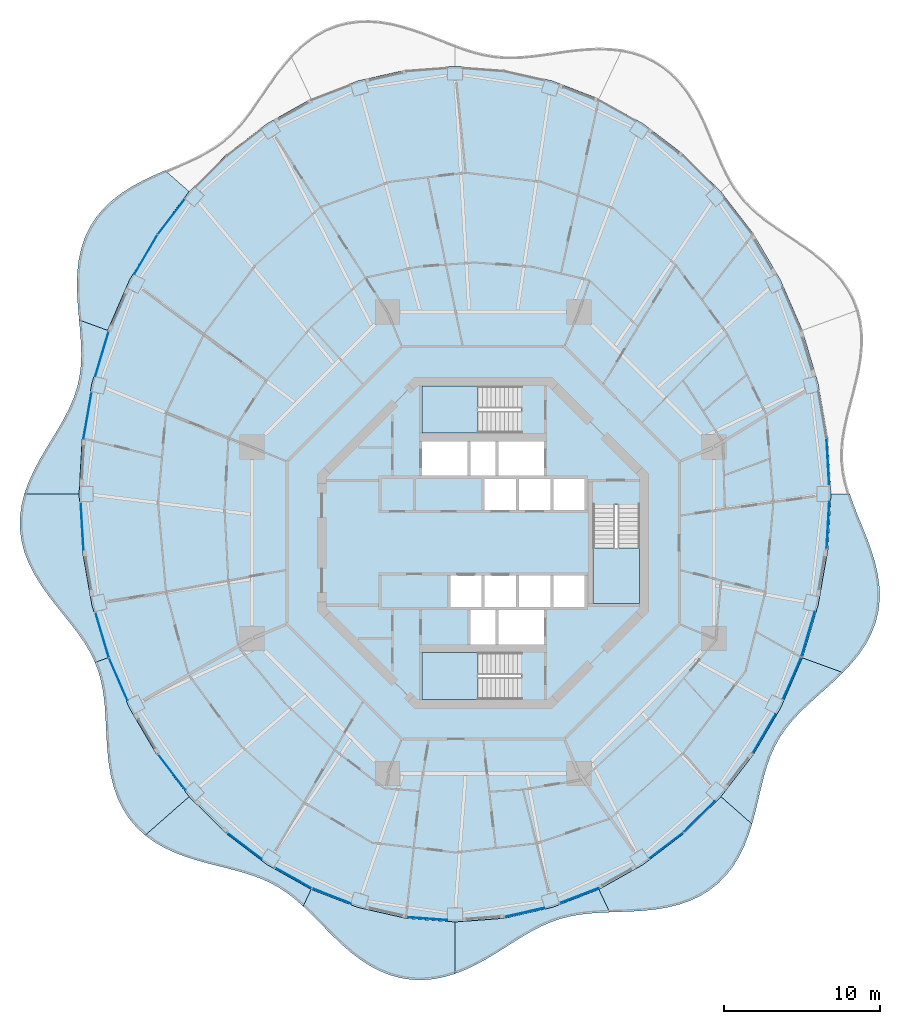
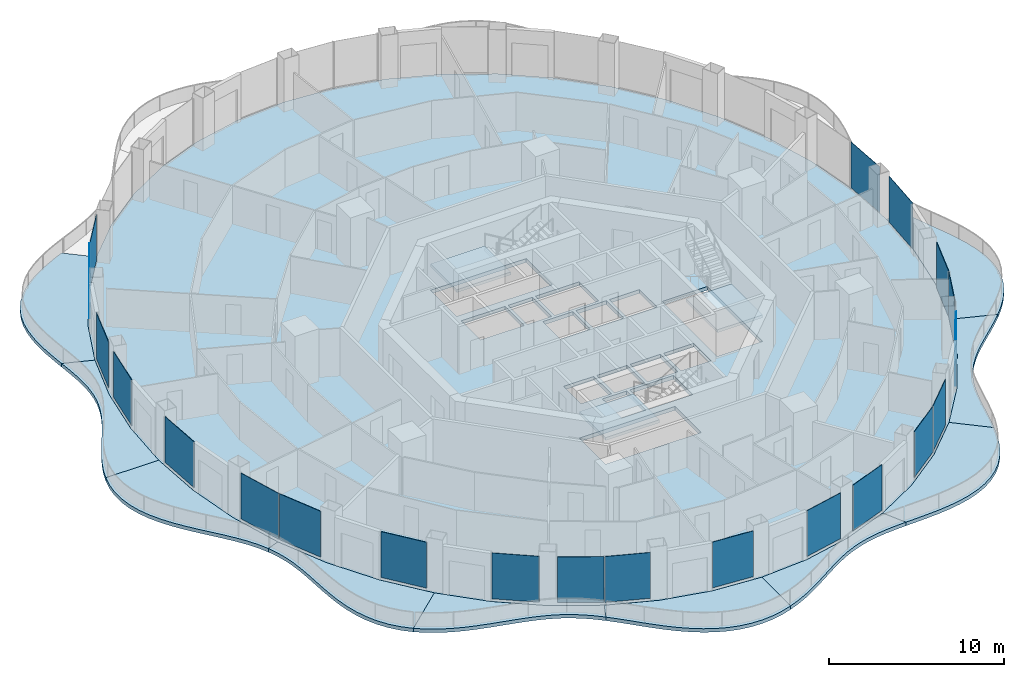
# One storey, part 8 of 18: 21 plates, 14 slabs, 24 elements without a shape of their own.
"""IFC4 building model written with IfcOpenShell, lengths in metres."""

from ifc_helpers import new_model, si_unit, direction, frame, origin, origin_2d, place, context, subcontext, project, spatial, polyline, rectangle, outline, extrude, material, layer, layer_set, type_object, element, aggregate, save


model = new_model("IFC4")

# Units and contexts
model_context = context("Model", 3, precision=1e-05, world=origin(), true_north=direction((0.0, 1.0)))
body_context = subcontext(model_context, "Body", "Model", "MODEL_VIEW")
ifc_project = project(units=[si_unit("LENGTHUNIT", "METRE"), si_unit("AREAUNIT", "SQUARE_METRE"), si_unit("VOLUMEUNIT", "CUBIC_METRE"), si_unit("PLANEANGLEUNIT", "RADIAN"), si_unit("MASSUNIT", "GRAM", prefix="KILO")], contexts=[model_context])

# Site, building, storey
site_placement = place(None, origin())
site = spatial("IfcSite", under=ifc_project, at=site_placement, CompositionType="ELEMENT")
building_placement = place(site_placement, origin())
building = spatial("IfcBuilding", under=site, at=building_placement, Name="Nagisa Residences", CompositionType="ELEMENT")
storey_placement = place(building_placement, frame((0.0, 0.0, 249.199951171875)))
storey = spatial("IfcBuildingStorey", under=building, at=storey_placement, Name="L63", CompositionType="ELEMENT", Elevation=249.199951171875)

# Slabs
ifc_material_1 = material(Name="Concrete C40/50", Category="concrete")
ifc_layer_1 = layer(ifc_material_1, 0.25)
ifc_layer_set_1 = layer_set([ifc_layer_1], Name="BALCONY SLAB 250")
slab_type_1 = type_object("IfcSlabType", Name="BALCONY SLAB 250", PredefinedType="FLOOR", material=ifc_layer_set_1)
slab_1_placement = place(storey_placement, frame((0.0, 0.0, -0.25)))
element("IfcSlab", 1, at=slab_1_placement, inside=storey, type_object=slab_type_1, Name="slab:L63:bal06", PredefinedType="FLOOR", context=body_context, shape_type="SweptSolid", body=[
    extrude(outline(polyline([(-20.358642578125, 23.83740234375), (-21.072021484375, 23.5234375), (-21.781005859375, 23.184814453125), (-22.47119140625, 22.8115234375), (-23.12744140625, 22.3955078125), (-23.736328125, 21.93115234375), (-24.285400390625, 21.414794921875), (-24.763916015625, 20.846435546875), (-25.165283203125, 20.227783203125), (-25.485107421875, 19.56298828125), (-25.723388671875, 18.8583984375), (-25.88330078125, 18.12158203125), (-25.97216796875, 17.361572265625), (-26.000244140625, 16.5869140625), (-25.98046875, 15.80712890625), (-25.928466796875, 15.030029296875), (-25.860107421875, 14.2626953125), (-24.037841796875, 13.599365234375), (-22.645263671875, 16.812744140625), (-20.89599609375, 19.791748046875), (-18.820068359375, 22.4853515625), (-20.358642578125, 23.83740234375)])), origin(), (0.0, 0.0, 1.0), 0.25),
])
slab_2_placement = place(storey_placement, frame((0.0, 0.0, -0.25)))
element("IfcSlab", 2, at=slab_2_placement, inside=storey, type_object=slab_type_1, Name="slab:L63:bal07", PredefinedType="FLOOR", context=body_context, shape_type="SweptSolid", body=[
    extrude(outline(polyline([(-25.860107421875, 14.2626953125), (-25.79052734375, 13.4873046875), (-25.739013671875, 12.73291015625), (-25.721923828125, 12.001220703125), (-25.752685546875, 11.29248046875), (-25.8408203125, 10.604736328125), (-25.992431640625, 9.934326171875), (-26.208740234375, 9.276611328125), (-26.486572265625, 8.625732421875), (-26.818115234375, 7.97607421875), (-27.192138671875, 7.322021484375), (-27.593505859375, 6.658447265625), (-28.004638671875, 5.981689453125), (-28.40673828125, 5.289306640625), (-28.780517578125, 4.580322265625), (-29.106689453125, 3.855712890625), (-29.369140625, 3.11767578125), (-25.8701171875, 3.11767578125), (-25.6640625, 6.69287109375), (-25.0498046875, 10.206787109375), (-24.037841796875, 13.599365234375), (-25.860107421875, 14.2626953125)])), origin(), (0.0, 0.0, 1.0), 0.25),
])
slab_3_placement = place(storey_placement, frame((0.0, 0.0, -0.25)))
element("IfcSlab", 3, at=slab_3_placement, inside=storey, type_object=slab_type_1, Name="slab:L63:bal08", PredefinedType="FLOOR", context=body_context, shape_type="SweptSolid", body=[
    extrude(outline(polyline([(-29.369140625, 3.11767578125), (-29.552978515625, 2.3701171875), (-29.64794921875, 1.617919921875), (-29.6474609375, 0.8662109375), (-29.549560546875, 0.12060546875), (-29.357177734375, -0.61328125), (-29.0771484375, -1.3310546875), (-28.720703125, -2.029541015625), (-28.302734375, -2.70654296875), (-27.840087890625, -3.36181640625), (-27.351318359375, -3.9970703125), (-26.85595703125, -4.615478515625), (-26.3720703125, -5.2216796875), (-25.916748046875, -5.822265625), (-25.50390625, -6.423583984375), (-25.14404296875, -7.032958984375), (-24.843994140625, -7.657470703125), (-24.037841796875, -7.364013671875), (-25.0498046875, -3.971435546875), (-25.6640625, -0.45751953125), (-25.8701171875, 3.11767578125), (-29.369140625, 3.11767578125)])), origin(), (0.0, 0.0, 1.0), 0.25),
])
slab_4_placement = place(storey_placement, frame((0.0, 0.0, -0.25)))
element("IfcSlab", 4, at=slab_4_placement, inside=storey, type_object=slab_type_1, Name="slab:L63:bal09", PredefinedType="FLOOR", context=body_context, shape_type="SweptSolid", body=[
    extrude(outline(polyline([(-24.843994140625, -7.657470703125), (-24.6123046875, -8.282470703125), (-24.437255859375, -8.931640625), (-24.312744140625, -9.607421875), (-24.229736328125, -10.310791015625), (-24.176513671875, -11.040283203125), (-24.138916015625, -11.792236328125), (-24.1015625, -12.561279296875), (-24.048095703125, -13.339599609375), (-23.9638671875, -14.1181640625), (-23.833984375, -14.886474609375), (-23.646484375, -15.63427734375), (-23.392333984375, -16.350341796875), (-23.064697265625, -17.02490234375), (-22.661376953125, -17.649169921875), (-22.1826171875, -18.216064453125), (-21.6328125, -18.721923828125), (-18.820068359375, -16.25), (-20.89599609375, -13.556396484375), (-22.645263671875, -10.577392578125), (-24.037841796875, -7.364013671875), (-24.843994140625, -7.657470703125)])), origin(), (0.0, 0.0, 1.0), 0.25),
])
slab_5_placement = place(storey_placement, frame((0.0, 0.0, -0.25)))
element("IfcSlab", 5, at=slab_5_placement, inside=storey, type_object=slab_type_1, Name="slab:L63:bal10", PredefinedType="FLOOR", context=body_context, shape_type="SweptSolid", body=[
    extrude(outline(polyline([(-21.6328125, -18.721923828125), (-21.04931640625, -19.14501953125), (-20.416259765625, -19.511962890625), (-19.743896484375, -19.826416015625), (-19.04345703125, -20.093994140625), (-18.326171875, -20.32275390625), (-17.60400390625, -20.52294921875), (-16.886962890625, -20.70556640625), (-16.184814453125, -20.882568359375), (-15.5048828125, -21.065673828125), (-14.852294921875, -21.2666015625), (-14.22998046875, -21.495361328125), (-13.638916015625, -21.760498046875), (-13.076904296875, -22.068115234375), (-12.5400390625, -22.421630859375), (-12.023193359375, -22.8212890625), (-11.518798828125, -23.264404296875), (-11.01123046875, -22.187255859375), (-13.8349609375, -20.602783203125), (-16.452880859375, -18.6123046875), (-18.820068359375, -16.25), (-21.6328125, -18.721923828125)])), origin(), (0.0, 0.0, 1.0), 0.25),
])
slab_6_placement = place(storey_placement, frame((0.0, 0.0, -0.25)))
element("IfcSlab", 6, at=slab_6_placement, inside=storey, type_object=slab_type_1, Name="slab:L63:bal11", PredefinedType="FLOOR", context=body_context, shape_type="SweptSolid", body=[
    extrude(outline(polyline([(-11.518798828125, -23.264404296875), (-11.03759765625, -23.7265625), (-10.553955078125, -24.2158203125), (-10.060546875, -24.721923828125), (-9.5517578125, -25.23291015625), (-9.02197265625, -25.73583984375), (-8.46728515625, -26.217041015625), (-7.8857421875, -26.662841796875), (-7.2763671875, -27.060302734375), (-6.640625, -27.397705078125), (-5.98095703125, -27.6650390625), (-5.30126953125, -27.85498046875), (-4.60693359375, -27.963134765625), (-3.903564453125, -27.9873046875), (-3.197265625, -27.92919921875), (-2.494384765625, -27.793212890625), (-1.800048828125, -27.58642578125), (-1.800048828125, -24.272216796875), (-4.941650390625, -24.0380859375), (-8.02978515625, -23.339111328125), (-11.01123046875, -22.187255859375), (-11.518798828125, -23.264404296875)])), origin(), (0.0, 0.0, 1.0), 0.25),
])
slab_7_placement = place(storey_placement, frame((0.0, 0.0, -0.25)))
element("IfcSlab", 7, at=slab_7_placement, inside=storey, type_object=slab_type_1, Name="slab:L63:bal12", PredefinedType="FLOOR", context=body_context, shape_type="SweptSolid", body=[
    extrude(outline(polyline([(-1.800048828125, -27.58642578125), (-1.119140625, -27.31884765625), (-0.454833984375, -27.002197265625), (0.1904296875, -26.649658203125), (0.81640625, -26.275146484375), (1.424072265625, -25.89306640625), (2.015869140625, -25.5166015625), (2.595947265625, -25.158447265625), (3.168701171875, -24.8291015625), (3.73974609375, -24.536865234375), (4.314697265625, -24.287353515625), (4.8994140625, -24.08349609375), (5.498779296875, -23.925048828125), (6.116455078125, -23.80908203125), (6.755615234375, -23.729736328125), (7.416748046875, -23.67919921875), (8.099365234375, -23.6474609375), (7.4111328125, -22.187255859375), (4.4296875, -23.339111328125), (1.341796875, -24.0380859375), (-1.800048828125, -24.272216796875), (-1.800048828125, -27.58642578125)])), origin(), (0.0, 0.0, 1.0), 0.25),
])
slab_8_placement = place(storey_placement, frame((0.0, 0.0, -0.25)))
element("IfcSlab", 8, at=slab_8_placement, inside=storey, type_object=slab_type_1, Name="slab:L63:bal13", PredefinedType="FLOOR", context=body_context, shape_type="SweptSolid", body=[
    extrude(outline(polyline([(8.099365234375, -23.6474609375), (8.82763671875, -23.622314453125), (9.5712890625, -23.591552734375), (10.323974609375, -23.5419921875), (11.076904296875, -23.460205078125), (11.821044921875, -23.334228515625), (12.546142578125, -23.154296875), (13.242431640625, -22.912353515625), (13.900146484375, -22.603515625), (14.51123046875, -22.2255859375), (15.06884765625, -21.779052734375), (15.568359375, -21.267333984375), (16.0078125, -20.696044921875), (16.387451171875, -20.07373046875), (16.71044921875, -19.40966796875), (16.982666015625, -18.71484375), (17.2119140625, -18.00048828125), (15.219970703125, -16.25), (12.852783203125, -18.6123046875), (10.235107421875, -20.602783203125), (7.4111328125, -22.187255859375), (8.099365234375, -23.6474609375)])), origin(), (0.0, 0.0, 1.0), 0.25),
])
slab_9_placement = place(storey_placement, frame((0.0, 0.0, -0.25)))
element("IfcSlab", 9, at=slab_9_placement, inside=storey, type_object=slab_type_1, Name="slab:L63:bal14", PredefinedType="FLOOR", context=body_context, shape_type="SweptSolid", body=[
    extrude(outline(polyline([(17.2119140625, -18.00048828125), (17.417236328125, -17.2421875), (17.599853515625, -16.4873046875), (17.7734375, -15.746337890625), (17.952880859375, -15.0283203125), (18.15185546875, -14.340087890625), (18.3828125, -13.685302734375), (18.6552734375, -13.0654296875), (18.97705078125, -12.479736328125), (19.3515625, -11.92431640625), (19.779052734375, -11.393798828125), (20.256103515625, -10.88134765625), (20.775634765625, -10.37890625), (21.326904296875, -9.87841796875), (21.89697265625, -9.37109375), (22.470947265625, -8.849853515625), (23.031982421875, -8.308349609375), (20.437744140625, -7.364013671875), (19.045166015625, -10.577392578125), (17.2958984375, -13.556396484375), (15.219970703125, -16.25), (17.2119140625, -18.00048828125)])), origin(), (0.0, 0.0, 1.0), 0.25),
])
slab_10_placement = place(storey_placement, frame((0.0, 0.0, -0.25)))
element("IfcSlab", 10, at=slab_10_placement, inside=storey, type_object=slab_type_1, Name="slab:L63:bal15", PredefinedType="FLOOR", context=body_context, shape_type="SweptSolid", body=[
    extrude(outline(polyline([(23.031982421875, -8.308349609375), (23.579833984375, -7.72265625), (24.078369140625, -7.1064453125), (24.511962890625, -6.458251953125), (24.866943359375, -5.778564453125), (25.13330078125, -5.070556640625), (25.3056640625, -4.337890625), (25.38232421875, -3.58642578125), (25.36669921875, -2.822021484375), (25.266357421875, -2.0517578125), (25.0927734375, -1.28125), (24.861083984375, -0.5166015625), (24.588623046875, 0.23779296875), (24.29443359375, 0.979248046875), (23.998046875, 1.705810546875), (23.7177734375, 2.418212890625), (23.470947265625, 3.11767578125), (22.27001953125, 3.11767578125), (22.06396484375, -0.45751953125), (21.449951171875, -3.971435546875), (20.437744140625, -7.364013671875), (23.031982421875, -8.308349609375)])), origin(), (0.0, 0.0, 1.0), 0.25),
])

# Curtain wall, plate
ifc_material_2 = material(Name="Concrete-coloured aluminium curtain wall system", Category="concrete")
ifc_layer_2 = layer(ifc_material_2, 0.159912109375)
ifc_layer_set_2 = layer_set([ifc_layer_2], Name="CW1 CURTAIN WALL")
curtain_wall_type = type_object("IfcCurtainWallType", Name="CW1 CURTAIN WALL", PredefinedType="NOTDEFINED", material=ifc_layer_set_2)
curtain_wall_1_placement = place(storey_placement, origin())
curtain_wall_1 = element("IfcCurtainWall", 11, at=curtain_wall_1_placement, inside=storey, type_object=curtain_wall_type, Name="cw:CW1:L63:00", PredefinedType="NOTDEFINED")
ifc_material_3 = material(Name="Clear laminated glass", Category="glass")
ifc_layer_3 = layer(ifc_material_3, 0.028076171875)
ifc_layer_set_3 = layer_set([ifc_layer_3], Name="CW1 GLASS PANEL")
plate_type = type_object("IfcPlateType", Name="CW1 GLASS PANEL", PredefinedType="CURTAIN_PANEL", material=ifc_layer_set_3)
plate_1_placement = place(storey_placement, frame((22.071044921875, 5.18017578125, 0.14990234375), z_axis=(0.0, 0.0, 1.0), x_axis=(-0.057503492216, 0.998345305184, 0.0)))
plate_1 = element("IfcPlate", 12, at=plate_1_placement, type_object=plate_type, Name="CW1 panel", PredefinedType="CURTAIN_PANEL", context=body_context, shape_type="SweptSolid", body=[
    extrude(rectangle(XDim=3.02099609375, YDim=0.028076171875, at=origin_2d()), origin(), (0.0, 0.0, 1.0), 3.199951171875),
])
aggregate(curtain_wall_1, [plate_1])

curtain_wall_2_placement = place(storey_placement, origin())
curtain_wall_2 = element("IfcCurtainWall", 13, at=curtain_wall_2_placement, inside=storey, type_object=curtain_wall_type, Name="cw:CW1:L63:18", PredefinedType="NOTDEFINED")
plate_2_placement = place(storey_placement, frame((-19.965576171875, 20.867919921875, 0.14990234375), z_axis=(0.0, 0.0, 1.0), x_axis=(-0.610429828235, -0.792070340816, 0.0)))
plate_2 = element("IfcPlate", 14, at=plate_2_placement, type_object=plate_type, Name="CW1 panel", PredefinedType="CURTAIN_PANEL", context=body_context, shape_type="SweptSolid", body=[
    extrude(rectangle(XDim=2.8408203125, YDim=0.028076171875, at=origin_2d()), origin(), (0.0, 0.0, 1.0), 3.199951171875),
])
aggregate(curtain_wall_2, [plate_2])

curtain_wall_3_placement = place(storey_placement, origin())
curtain_wall_3 = element("IfcCurtainWall", 15, at=curtain_wall_3_placement, inside=storey, type_object=curtain_wall_type, Name="cw:CW1:L63:19", PredefinedType="NOTDEFINED")
plate_3_placement = place(storey_placement, frame((-21.59033203125, 18.451416015625, 0.14990234375), z_axis=(0.0, 0.0, 1.0), x_axis=(-0.506348567002, -0.862328898214, 0.0)))
plate_3 = element("IfcPlate", 16, at=plate_3_placement, type_object=plate_type, Name="CW1 panel", PredefinedType="CURTAIN_PANEL", context=body_context, shape_type="SweptSolid", body=[
    extrude(rectangle(XDim=2.89453125, YDim=0.028076171875, at=origin_2d()), origin(), (0.0, 0.0, 1.0), 3.199951171875),
])
aggregate(curtain_wall_3, [plate_3])

curtain_wall_4_placement = place(storey_placement, origin())
curtain_wall_4 = element("IfcCurtainWall", 17, at=curtain_wall_4_placement, inside=storey, type_object=curtain_wall_type, Name="cw:CW1:L63:21", PredefinedType="NOTDEFINED")
plate_4_placement = place(storey_placement, frame((-24.404296875, 12.091064453125, 0.14990234375), z_axis=(0.0, 0.0, 1.0), x_axis=(-0.285860274038, -0.958271310082, 0.0)))
plate_4 = element("IfcPlate", 18, at=plate_4_placement, type_object=plate_type, Name="CW1 panel", PredefinedType="CURTAIN_PANEL", context=body_context, shape_type="SweptSolid", body=[
    extrude(rectangle(XDim=2.98046875, YDim=0.028076171875, at=origin_2d()), origin(), (0.0, 0.0, 1.0), 3.199951171875),
])
aggregate(curtain_wall_4, [plate_4])

curtain_wall_5_placement = place(storey_placement, origin())
curtain_wall_5 = element("IfcCurtainWall", 19, at=curtain_wall_5_placement, inside=storey, type_object=curtain_wall_type, Name="cw:CW1:L63:22", PredefinedType="NOTDEFINED")
plate_5_placement = place(storey_placement, frame((-25.326416015625, 8.16015625, 0.14990234375), z_axis=(0.0, 0.0, 1.0), x_axis=(-0.172190868898, -0.985063604377, 0.0)))
plate_5 = element("IfcPlate", 20, at=plate_5_placement, type_object=plate_type, Name="CW1 panel", PredefinedType="CURTAIN_PANEL", context=body_context, shape_type="SweptSolid", body=[
    extrude(rectangle(XDim=3.00732421875, YDim=0.028076171875, at=origin_2d()), origin(), (0.0, 0.0, 1.0), 3.199951171875),
])
aggregate(curtain_wall_5, [plate_5])

curtain_wall_6_placement = place(storey_placement, origin())
curtain_wall_6 = element("IfcCurtainWall", 21, at=curtain_wall_6_placement, inside=storey, type_object=curtain_wall_type, Name="cw:CW1:L63:24", PredefinedType="NOTDEFINED")
plate_6_placement = place(storey_placement, frame((-25.671142578125, 1.05517578125, 0.14990234375), z_axis=(0.0, 0.0, 1.0), x_axis=(0.057503492216, -0.998345305184, 0.0)))
plate_6 = element("IfcPlate", 22, at=plate_6_placement, type_object=plate_type, Name="CW1 panel", PredefinedType="CURTAIN_PANEL", context=body_context, shape_type="SweptSolid", body=[
    extrude(rectangle(XDim=3.02099609375, YDim=0.028076171875, at=origin_2d()), origin(), (0.0, 0.0, 1.0), 3.199951171875),
])
aggregate(curtain_wall_6, [plate_6])

curtain_wall_7_placement = place(storey_placement, origin())
curtain_wall_7 = element("IfcCurtainWall", 23, at=curtain_wall_7_placement, inside=storey, type_object=curtain_wall_type, Name="cw:CW1:L63:26", PredefinedType="NOTDEFINED")
plate_7_placement = place(storey_placement, frame((-24.38720703125, -5.9130859375, 0.14990234375), z_axis=(0.0, 0.0, 1.0), x_axis=(0.285860274038, -0.958271310082, 0.0)))
plate_7 = element("IfcPlate", 24, at=plate_7_placement, type_object=plate_type, Name="CW1 panel", PredefinedType="CURTAIN_PANEL", context=body_context, shape_type="SweptSolid", body=[
    extrude(rectangle(XDim=2.98046875, YDim=0.028076171875, at=origin_2d()), origin(), (0.0, 0.0, 1.0), 3.199951171875),
])
aggregate(curtain_wall_7, [plate_7])

curtain_wall_8_placement = place(storey_placement, origin())
curtain_wall_8 = element("IfcCurtainWall", 25, at=curtain_wall_8_placement, inside=storey, type_object=curtain_wall_type, Name="cw:CW1:L63:27", PredefinedType="NOTDEFINED")
plate_8_placement = place(storey_placement, frame((-23.35546875, -8.737060546875, 0.14990234375), z_axis=(0.0, 0.0, 1.0), x_axis=(0.397635934147, -0.917543276295, 0.0)))
plate_8 = element("IfcPlate", 26, at=plate_8_placement, type_object=plate_type, Name="CW1 panel", PredefinedType="CURTAIN_PANEL", context=body_context, shape_type="SweptSolid", body=[
    extrude(rectangle(XDim=2.942138671875, YDim=0.028076171875, at=origin_2d()), origin(), (0.0, 0.0, 1.0), 3.199951171875),
])
aggregate(curtain_wall_8, [plate_8])

curtain_wall_9_placement = place(storey_placement, origin())
curtain_wall_9 = element("IfcCurtainWall", 27, at=curtain_wall_9_placement, inside=storey, type_object=curtain_wall_type, Name="cw:CW1:L63:29", PredefinedType="NOTDEFINED")
plate_9_placement = place(storey_placement, frame((-19.928955078125, -14.679931640625, 0.14990234375), z_axis=(0.0, 0.0, 1.0), x_axis=(0.610429828235, -0.792070340816, 0.0)))
plate_9 = element("IfcPlate", 28, at=plate_9_placement, type_object=plate_type, Name="CW1 panel", PredefinedType="CURTAIN_PANEL", context=body_context, shape_type="SweptSolid", body=[
    extrude(rectangle(XDim=2.8408203125, YDim=0.028076171875, at=origin_2d()), origin(), (0.0, 0.0, 1.0), 3.199951171875),
])
aggregate(curtain_wall_9, [plate_9])

curtain_wall_10_placement = place(storey_placement, origin())
curtain_wall_10 = element("IfcCurtainWall", 29, at=curtain_wall_10_placement, inside=storey, type_object=curtain_wall_type, Name="cw:CW1:L63:31", PredefinedType="NOTDEFINED")
plate_10_placement = place(storey_placement, frame((-15.270751953125, -19.41064453125, 0.14990234375), z_axis=(0.0, 0.0, 1.0), x_axis=(0.79603132756, -0.605255421737, 0.0)))
plate_10 = element("IfcPlate", 30, at=plate_10_placement, type_object=plate_type, Name="CW1 panel", PredefinedType="CURTAIN_PANEL", context=body_context, shape_type="SweptSolid", body=[
    extrude(rectangle(XDim=2.728759765625, YDim=0.028076171875, at=origin_2d()), origin(), (0.0, 0.0, 1.0), 3.199951171875),
])
aggregate(curtain_wall_10, [plate_10])

curtain_wall_11_placement = place(storey_placement, origin())
curtain_wall_11 = element("IfcCurtainWall", 31, at=curtain_wall_11_placement, inside=storey, type_object=curtain_wall_type, Name="cw:CW1:L63:32", PredefinedType="NOTDEFINED")
plate_11_placement = place(storey_placement, frame((-12.1396484375, -21.46240234375, 0.14990234375), z_axis=(0.0, 0.0, 1.0), x_axis=(0.872072377523, -0.489376918501, 0.0)))
plate_11 = element("IfcPlate", 32, at=plate_11_placement, type_object=plate_type, Name="CW1 panel", PredefinedType="CURTAIN_PANEL", context=body_context, shape_type="SweptSolid", body=[
    extrude(rectangle(XDim=2.677978515625, YDim=0.028076171875, at=origin_2d()), origin(), (0.0, 0.0, 1.0), 3.199951171875),
])
aggregate(curtain_wall_11, [plate_11])

curtain_wall_12_placement = place(storey_placement, origin())
curtain_wall_12 = element("IfcCurtainWall", 33, at=curtain_wall_12_placement, inside=storey, type_object=curtain_wall_type, Name="cw:CW1:L63:33", PredefinedType="NOTDEFINED")
plate_12_placement = place(storey_placement, frame((-9.69677734375, -22.609375, 0.14990234375), z_axis=(0.0, 0.0, 1.0), x_axis=(0.932825759707, -0.360327770268, 0.0)))
plate_12 = element("IfcPlate", 34, at=plate_12_placement, type_object=plate_type, Name="CW1 panel", PredefinedType="CURTAIN_PANEL", context=body_context, shape_type="SweptSolid", body=[
    extrude(rectangle(XDim=2.63623046875, YDim=0.028076171875, at=origin_2d()), origin(), (0.0, 0.0, 1.0), 3.199951171875),
])
aggregate(curtain_wall_12, [plate_12])

curtain_wall_13_placement = place(storey_placement, origin())
curtain_wall_13 = element("IfcCurtainWall", 35, at=curtain_wall_13_placement, inside=storey, type_object=curtain_wall_type, Name="cw:CW1:L63:35", PredefinedType="NOTDEFINED")
plate_13_placement = place(storey_placement, frame((-3.584228515625, -24.05908203125, 0.14990234375), z_axis=(0.0, 0.0, 1.0), x_axis=(0.997230168512, -0.074377355493, 0.0)))
plate_13 = element("IfcPlate", 36, at=plate_13_placement, type_object=plate_type, Name="CW1 panel", PredefinedType="CURTAIN_PANEL", context=body_context, shape_type="SweptSolid", body=[
    extrude(rectangle(XDim=2.590576171875, YDim=0.028076171875, at=origin_2d()), origin(), (0.0, 0.0, 1.0), 3.199951171875),
])
aggregate(curtain_wall_13, [plate_13])

curtain_wall_14_placement = place(storey_placement, origin())
curtain_wall_14 = element("IfcCurtainWall", 37, at=curtain_wall_14_placement, inside=storey, type_object=curtain_wall_type, Name="cw:CW1:L63:37", PredefinedType="NOTDEFINED")
plate_14_placement = place(storey_placement, frame((2.653564453125, -23.658935546875, 0.14990234375), z_axis=(0.0, 0.0, 1.0), x_axis=(0.975327274089, 0.2207639201, 0.0)))
plate_14 = element("IfcPlate", 38, at=plate_14_placement, type_object=plate_type, Name="CW1 panel", PredefinedType="CURTAIN_PANEL", context=body_context, shape_type="SweptSolid", body=[
    extrude(rectangle(XDim=2.606201171875, YDim=0.028076171875, at=origin_2d()), origin(), (0.0, 0.0, 1.0), 3.199951171875),
])
aggregate(curtain_wall_14, [plate_14])

curtain_wall_15_placement = place(storey_placement, origin())
curtain_wall_15 = element("IfcCurtainWall", 39, at=curtain_wall_15_placement, inside=storey, type_object=curtain_wall_type, Name="cw:CW1:L63:38", PredefinedType="NOTDEFINED")
plate_15_placement = place(storey_placement, frame((6.15283203125, -22.587646484375, 0.14990234375), z_axis=(0.0, 0.0, 1.0), x_axis=(0.932825759707, 0.360327770268, 0.0)))
plate_15 = element("IfcPlate", 40, at=plate_15_placement, type_object=plate_type, Name="CW1 panel", PredefinedType="CURTAIN_PANEL", context=body_context, shape_type="SweptSolid", body=[
    extrude(rectangle(XDim=2.63623046875, YDim=0.028076171875, at=origin_2d()), origin(), (0.0, 0.0, 1.0), 3.199951171875),
])
aggregate(curtain_wall_15, [plate_15])

curtain_wall_16_placement = place(storey_placement, origin())
curtain_wall_16 = element("IfcCurtainWall", 41, at=curtain_wall_16_placement, inside=storey, type_object=curtain_wall_type, Name="cw:CW1:L63:40", PredefinedType="NOTDEFINED")
plate_16_placement = place(storey_placement, frame((11.718505859375, -19.374267578125, 0.14990234375), z_axis=(0.0, 0.0, 1.0), x_axis=(0.79603132756, 0.605255421737, 0.0)))
plate_16 = element("IfcPlate", 42, at=plate_16_placement, type_object=plate_type, Name="CW1 panel", PredefinedType="CURTAIN_PANEL", context=body_context, shape_type="SweptSolid", body=[
    extrude(rectangle(XDim=2.728759765625, YDim=0.028076171875, at=origin_2d()), origin(), (0.0, 0.0, 1.0), 3.199951171875),
])
aggregate(curtain_wall_16, [plate_16])

curtain_wall_17_placement = place(storey_placement, origin())
curtain_wall_17 = element("IfcCurtainWall", 43, at=curtain_wall_17_placement, inside=storey, type_object=curtain_wall_type, Name="cw:CW1:L63:41", PredefinedType="NOTDEFINED")
plate_17_placement = place(storey_placement, frame((13.82421875, -17.52978515625, 0.14990234375), z_axis=(0.0, 0.0, 1.0), x_axis=(0.707835924016, 0.706376885714, 0.0)))
plate_17 = element("IfcPlate", 44, at=plate_17_placement, type_object=plate_type, Name="CW1 panel", PredefinedType="CURTAIN_PANEL", context=body_context, shape_type="SweptSolid", body=[
    extrude(rectangle(XDim=2.7841796875, YDim=0.028076171875, at=origin_2d()), origin(), (0.0, 0.0, 1.0), 3.199951171875),
])
aggregate(curtain_wall_17, [plate_17])

curtain_wall_18_placement = place(storey_placement, origin())
curtain_wall_18 = element("IfcCurtainWall", 45, at=curtain_wall_18_placement, inside=storey, type_object=curtain_wall_type, Name="cw:CW1:L63:43", PredefinedType="NOTDEFINED")
plate_18_placement = place(storey_placement, frame((17.990234375, -12.216064453125, 0.14990234375), z_axis=(0.0, 0.0, 1.0), x_axis=(0.506348567002, 0.862328898214, 0.0)))
plate_18 = element("IfcPlate", 46, at=plate_18_placement, type_object=plate_type, Name="CW1 panel", PredefinedType="CURTAIN_PANEL", context=body_context, shape_type="SweptSolid", body=[
    extrude(rectangle(XDim=2.89453125, YDim=0.028076171875, at=origin_2d()), origin(), (0.0, 0.0, 1.0), 3.199951171875),
])
aggregate(curtain_wall_18, [plate_18])

curtain_wall_19_placement = place(storey_placement, origin())
curtain_wall_19 = element("IfcCurtainWall", 47, at=curtain_wall_19_placement, inside=storey, type_object=curtain_wall_type, Name="cw:CW1:L63:44", PredefinedType="NOTDEFINED")
plate_19_placement = place(storey_placement, frame((19.779541015625, -8.681884765625, 0.14990234375), z_axis=(0.0, 0.0, 1.0), x_axis=(0.397635934147, 0.917543276295, 0.0)))
plate_19 = element("IfcPlate", 48, at=plate_19_placement, type_object=plate_type, Name="CW1 panel", PredefinedType="CURTAIN_PANEL", context=body_context, shape_type="SweptSolid", body=[
    extrude(rectangle(XDim=2.942138671875, YDim=0.028076171875, at=origin_2d()), origin(), (0.0, 0.0, 1.0), 3.199951171875),
])
aggregate(curtain_wall_19, [plate_19])

curtain_wall_20_placement = place(storey_placement, origin())
curtain_wall_20 = element("IfcCurtainWall", 49, at=curtain_wall_20_placement, inside=storey, type_object=curtain_wall_type, Name="cw:CW1:L63:45", PredefinedType="NOTDEFINED")
plate_20_placement = place(storey_placement, frame((20.80419921875, -5.855712890625, 0.14990234375), z_axis=(0.0, 0.0, 1.0), x_axis=(0.285860274038, 0.958271310082, 0.0)))
plate_20 = element("IfcPlate", 50, at=plate_20_placement, type_object=plate_type, Name="CW1 panel", PredefinedType="CURTAIN_PANEL", context=body_context, shape_type="SweptSolid", body=[
    extrude(rectangle(XDim=2.98046875, YDim=0.028076171875, at=origin_2d()), origin(), (0.0, 0.0, 1.0), 3.199951171875),
])
aggregate(curtain_wall_20, [plate_20])

curtain_wall_21_placement = place(storey_placement, origin())
curtain_wall_21 = element("IfcCurtainWall", 51, at=curtain_wall_21_placement, inside=storey, type_object=curtain_wall_type, Name="cw:CW1:L63:47", PredefinedType="NOTDEFINED")
plate_21_placement = place(storey_placement, frame((22.074462890625, 1.114990234375, 0.14990234375), z_axis=(0.0, 0.0, 1.0), x_axis=(0.057503492216, 0.998345305184, 0.0)))
plate_21 = element("IfcPlate", 52, at=plate_21_placement, type_object=plate_type, Name="CW1 panel", PredefinedType="CURTAIN_PANEL", context=body_context, shape_type="SweptSolid", body=[
    extrude(rectangle(XDim=3.02099609375, YDim=0.028076171875, at=origin_2d()), origin(), (0.0, 0.0, 1.0), 3.199951171875),
])
aggregate(curtain_wall_21, [plate_21])

# Slab
ifc_material_4 = material(Name="Concrete C40", Category="concrete")
ifc_layer_4 = layer(ifc_material_4, 0.260009765625)
ifc_layer_set_4 = layer_set([ifc_layer_4], Name="Floor slab 260")
slab_type_2 = type_object("IfcSlabType", Name="Floor slab 260", PredefinedType="FLOOR", material=ifc_layer_set_4)
slab_11_placement = place(storey_placement, frame((0.0, 0.0, -0.260009765625)))
element("IfcSlab", 53, at=slab_11_placement, inside=storey, type_object=slab_type_2, Name="slab:L63:floor", PredefinedType="FLOOR", context=body_context, shape_type="SweptSolid", body=[
    extrude(outline(polyline([(22.27001953125, 3.11767578125), (22.06396484375, 6.69287109375), (21.449951171875, 10.206787109375), (20.437744140625, 13.599365234375), (19.045166015625, 16.812744140625), (17.2958984375, 19.791748046875), (15.219970703125, 22.4853515625), (12.852783203125, 24.84765625), (10.235107421875, 26.838134765625), (7.4111328125, 28.4228515625), (4.4296875, 29.574462890625), (1.341796875, 30.2734375), (-1.800048828125, 30.5078125), (-4.941650390625, 30.2734375), (-8.02978515625, 29.574462890625), (-11.01123046875, 28.4228515625), (-13.8349609375, 26.838134765625), (-16.452880859375, 24.84765625), (-18.820068359375, 22.4853515625), (-20.89599609375, 19.791748046875), (-22.645263671875, 16.812744140625), (-24.037841796875, 13.599365234375), (-25.0498046875, 10.206787109375), (-25.6640625, 6.69287109375), (-25.8701171875, 3.11767578125), (-25.6640625, -0.45751953125), (-25.0498046875, -3.971435546875), (-24.037841796875, -7.364013671875), (-22.645263671875, -10.577392578125), (-20.89599609375, -13.556396484375), (-18.820068359375, -16.25), (-16.452880859375, -18.6123046875), (-13.8349609375, -20.602783203125), (-11.01123046875, -22.187255859375), (-8.02978515625, -23.339111328125), (-4.941650390625, -24.0380859375), (-1.800048828125, -24.272216796875), (1.341796875, -24.0380859375), (4.4296875, -23.339111328125), (7.4111328125, -22.187255859375), (10.235107421875, -20.602783203125), (12.852783203125, -18.6123046875), (15.219970703125, -16.25), (17.2958984375, -13.556396484375), (19.045166015625, -10.577392578125), (20.437744140625, -7.364013671875), (21.449951171875, -3.971435546875), (22.06396484375, -0.45751953125), (22.27001953125, 3.11767578125)]), holes=[polyline([(2.10009765625, 2.10009765625), (2.10009765625, 4.10009765625), (0.10009765625, 4.10009765625), (0.10009765625, 2.10009765625), (2.10009765625, 2.10009765625)]), polyline([(4.300048828125, 2.10009765625), (4.300048828125, 4.10009765625), (2.300048828125, 4.10009765625), (2.300048828125, 2.10009765625), (4.300048828125, 2.10009765625)]), polyline([(6.5, 2.10009765625), (6.5, 4.10009765625), (4.5, 4.10009765625), (4.5, 2.10009765625), (6.5, 2.10009765625)]), polyline([(-0.10009765625, -4.10009765625), (-0.10009765625, -2.10009765625), (-2.10009765625, -2.10009765625), (-2.10009765625, -4.10009765625), (-0.10009765625, -4.10009765625)]), polyline([(2.10009765625, -4.10009765625), (2.10009765625, -2.10009765625), (0.10009765625, -2.10009765625), (0.10009765625, -4.10009765625), (2.10009765625, -4.10009765625)]), polyline([(4.300048828125, -4.10009765625), (4.300048828125, -2.10009765625), (2.300048828125, -2.10009765625), (2.300048828125, -4.10009765625), (4.300048828125, -4.10009765625)]), polyline([(6.5, -4.10009765625), (6.5, -2.10009765625), (4.5, -2.10009765625), (4.5, -4.10009765625), (6.5, -4.10009765625)]), polyline([(3.89990234375, 4.300048828125), (3.89990234375, 6.5), (1.0, 6.5), (1.0, 4.300048828125), (3.89990234375, 4.300048828125)]), polyline([(3.89990234375, -6.5), (3.89990234375, -4.300048828125), (1.0, -4.300048828125), (1.0, -6.5), (3.89990234375, -6.5)]), polyline([(-1.0, 4.300048828125), (-1.0, 6.5), (-3.89990234375, 6.5), (-3.89990234375, 4.300048828125), (-1.0, 4.300048828125)]), polyline([(0.800048828125, 4.300048828125), (0.800048828125, 6.5), (-0.800048828125, 6.5), (-0.800048828125, 4.300048828125), (0.800048828125, 4.300048828125)]), polyline([(0.800048828125, -6.5), (0.800048828125, -4.300048828125), (-0.800048828125, -4.300048828125), (-0.800048828125, -6.5), (0.800048828125, -6.5)]), polyline([(10.024658203125, -3.89990234375), (7.024658203125, -3.89990234375), (7.024658203125, 2.425048828125), (10.024658203125, 2.425048828125), (10.024658203125, -3.89990234375)]), polyline([(-3.89990234375, 7.024658203125), (-3.89990234375, 10.024658203125), (2.425048828125, 10.024658203125), (2.425048828125, 7.024658203125), (-3.89990234375, 7.024658203125)]), polyline([(-3.89990234375, -10.024658203125), (-3.89990234375, -7.024658203125), (2.425048828125, -7.024658203125), (2.425048828125, -10.024658203125), (-3.89990234375, -10.024658203125)])]), origin(), (0.0, 0.0, 1.0), 0.260009765625),
])

# Stair, slab
ifc_material_5 = material(Name="Concrete C60", Category="concrete")
stair_type = type_object("IfcStairType", Name="Exit stair", PredefinedType="HALF_TURN_STAIR", material=ifc_material_5)
stair_1_placement = place(storey_placement, origin())
stair_1 = element("IfcStair", 54, at=stair_1_placement, inside=storey, type_object=stair_type, Name="L63 Exit stair E", PredefinedType="HALF_TURN_STAIR")
ifc_material_6 = material(Name="Concrete C60", Category="concrete")
ifc_layer_5 = layer(ifc_material_6, 0.199951171875)
ifc_layer_set_5 = layer_set([ifc_layer_5], Name="Stair landing")
slab_type_3 = type_object("IfcSlabType", Name="Stair landing", PredefinedType="LANDING", material=ifc_layer_set_5)
slab_12_placement = place(storey_placement, frame((0.0, 0.0, 1.650146484375)))
slab_12 = element("IfcSlab", 55, at=slab_12_placement, type_object=slab_type_3, Name="ST-E landing 1", PredefinedType="LANDING", context=body_context, shape_type="SweptSolid", body=[
    extrude(outline(polyline([(7.024658203125, -0.324951171875), (7.024658203125, -3.89990234375), (10.024658203125, -3.89990234375), (10.024658203125, -0.324951171875), (7.024658203125, -0.324951171875)])), origin(), (0.0, 0.0, 1.0), 0.199951171875),
])
aggregate(stair_1, [slab_12])

stair_2_placement = place(storey_placement, origin())
stair_2 = element("IfcStair", 56, at=stair_2_placement, inside=storey, type_object=stair_type, Name="L63 Exit stair N", PredefinedType="HALF_TURN_STAIR")
slab_13_placement = place(storey_placement, frame((0.0, 0.0, 1.650146484375)))
slab_13 = element("IfcSlab", 57, at=slab_13_placement, type_object=slab_type_3, Name="ST-N landing 1", PredefinedType="LANDING", context=body_context, shape_type="SweptSolid", body=[
    extrude(outline(polyline([(-0.324951171875, 10.024658203125), (-3.89990234375, 10.024658203125), (-3.89990234375, 7.024658203125), (-0.324951171875, 7.024658203125), (-0.324951171875, 10.024658203125)])), origin(), (0.0, 0.0, 1.0), 0.199951171875),
])
aggregate(stair_2, [slab_13])

stair_3_placement = place(storey_placement, origin())
stair_3 = element("IfcStair", 58, at=stair_3_placement, inside=storey, type_object=stair_type, Name="L63 Exit stair S", PredefinedType="HALF_TURN_STAIR")
slab_14_placement = place(storey_placement, frame((0.0, 0.0, 1.650146484375)))
slab_14 = element("IfcSlab", 59, at=slab_14_placement, type_object=slab_type_3, Name="ST-S landing 1", PredefinedType="LANDING", context=body_context, shape_type="SweptSolid", body=[
    extrude(outline(polyline([(-0.324951171875, -7.024658203125), (-3.89990234375, -7.024658203125), (-3.89990234375, -10.024658203125), (-0.324951171875, -10.024658203125), (-0.324951171875, -7.024658203125)])), origin(), (0.0, 0.0, 1.0), 0.199951171875),
])
aggregate(stair_3, [slab_14])

save(model, "model.ifc")
